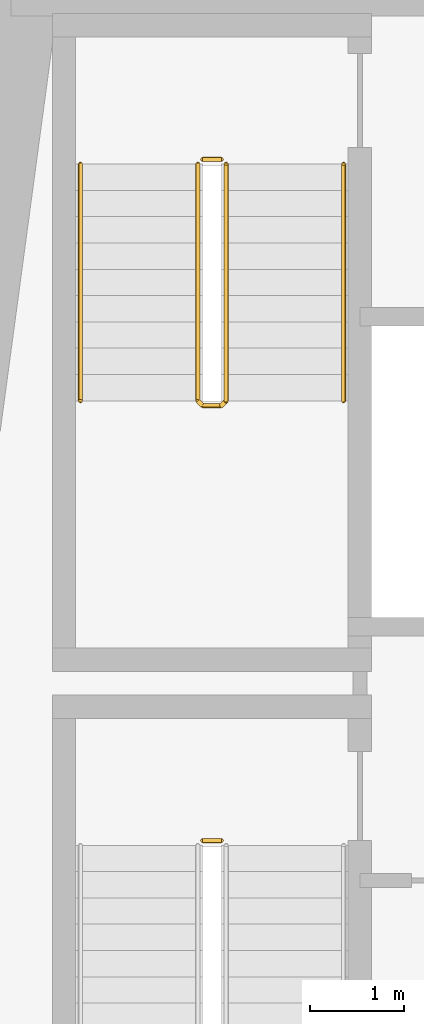
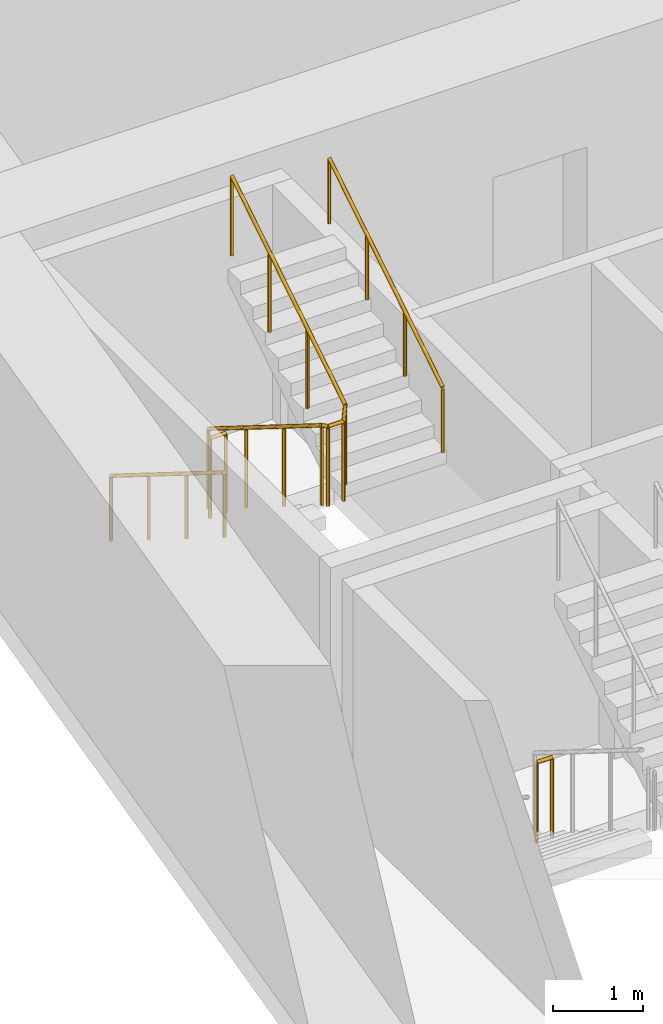
# One storey, part 10 of 13: 5 railings.
"""IFC4 building model written with IfcOpenShell, lengths in metres."""

from ifc_helpers import new_model, si_unit, direction, frame, origin, origin_2d, place, context, subcontext, project, spatial, circle, extrude, material, type_object, element, save


model = new_model("IFC4")

# Units and contexts
model_context = context("Model", 3, precision=1e-05, world=origin(), true_north=direction((0.0, 1.0)))
body_context = subcontext(model_context, "Body", "Model", "MODEL_VIEW")
ifc_project = project(units=[si_unit("LENGTHUNIT", "METRE"), si_unit("AREAUNIT", "SQUARE_METRE"), si_unit("VOLUMEUNIT", "CUBIC_METRE"), si_unit("PLANEANGLEUNIT", "RADIAN"), si_unit("MASSUNIT", "GRAM", prefix="KILO")], contexts=[model_context])

# Site, building, storey
site_placement = place(None, origin())
site = spatial("IfcSite", under=ifc_project, at=site_placement, CompositionType="ELEMENT")
building_placement = place(site_placement, origin())
building = spatial("IfcBuilding", under=site, at=building_placement, Name="Candeia Pilgrim Tower and Theatre", CompositionType="ELEMENT")
storey_placement = place(building_placement, frame((0.0, 0.0, 63.5)))
storey = spatial("IfcBuildingStorey", under=building, at=storey_placement, Name="L13", CompositionType="ELEMENT", Elevation=63.5)

# Railings
ifc_material_1 = material(Name="Stainless steel balustrade", Category="steel")
railing_type_1 = type_object("IfcRailingType", Name="RL-GUARD-1100", PredefinedType="GUARDRAIL", material=ifc_material_1)
railing_1_placement = place(storey_placement, frame((91.152099609375, 122.52490234375, 0.0)))
element("IfcRailing", 1, at=railing_1_placement, inside=storey, type_object=railing_type_1, Name="L13 ST1 stair guard 2", PredefinedType="GUARDRAIL", context=body_context, shape_type="SweptSolid", body=[
    extrude(circle(Radius=0.02392578125, at=origin_2d()), frame((0.0, 0.0, 1.076171875), z_axis=(1.0, 0.0, 0.0), x_axis=(0.0, 1.0, 0.0)), (0.0, 0.0, 1.0), 0.199951171875),
    extrude(circle(Radius=0.02099609375, at=origin_2d()), origin(), (0.0, 0.0, 1.0), 1.052001953125),
    extrude(circle(Radius=0.02099609375, at=origin_2d()), frame((0.199951171875, 0.0, 0.0)), (0.0, 0.0, 1.0), 1.052001953125),
])
railing_2_placement = place(storey_placement, frame((91.10205078125, 129.72509765625, 0.175048828125)))
element("IfcRailing", 2, at=railing_2_placement, inside=storey, type_object=railing_type_1, Name="L13 ST2 stair guard 1", PredefinedType="GUARDRAIL", context=body_context, shape_type="SweptSolid", body=[
    extrude(circle(Radius=0.02392578125, at=origin_2d()), frame((0.0, 0.0, 1.076171875), z_axis=(0.0, -0.848007534815, 0.529984170421), x_axis=(1.0, 0.0, 0.0)), (0.0, 0.0, 1.0), 2.9716796875),
    extrude(circle(Radius=0.02392578125, at=origin_2d()), frame((0.0, -2.52001953125, 2.65087890625), z_axis=(0.707106781187, -0.707106781187, 0.0), x_axis=(0.707106781187, 0.707106781187, 0.0)), (0.0, 0.0, 1.0), 0.07080078125),
    extrude(circle(Radius=0.02392578125, at=origin_2d()), frame((0.050048828125, -2.570068359375, 2.65087890625), z_axis=(1.0, 0.0, 0.0), x_axis=(0.0, 1.0, 0.0)), (0.0, 0.0, 1.0), 0.199951171875),
    extrude(circle(Radius=0.02392578125, at=origin_2d()), frame((0.25, -2.570068359375, 2.65087890625), z_axis=(0.265065253269, 0.265065253269, 0.927081885822), x_axis=(-0.707106781187, 0.707106781187, 0.0)), (0.0, 0.0, 1.0), 0.188720703125),
    extrude(circle(Radius=0.02392578125, at=origin_2d()), frame((0.300048828125, -2.52001953125, 2.826171875), z_axis=(0.0, 0.848007534815, 0.529984170421), x_axis=(-1.0, 0.0, 0.0)), (0.0, 0.0, 1.0), 2.9716796875),
    extrude(circle(Radius=0.02099609375, at=origin_2d()), origin(), (0.0, 0.0, 1.0), 1.052001953125),
    extrude(circle(Radius=0.02099609375, at=origin_2d()), frame((0.0, -0.840087890625, 0.52490234375)), (0.0, 0.0, 1.0), 1.052001953125),
    extrude(circle(Radius=0.02099609375, at=origin_2d()), frame((0.0, -1.679931640625, 1.050048828125)), (0.0, 0.0, 1.0), 1.052001953125),
    extrude(circle(Radius=0.02099609375, at=origin_2d()), frame((0.0, -2.52001953125, 1.574951171875)), (0.0, 0.0, 1.0), 1.052001953125),
    extrude(circle(Radius=0.02099609375, at=origin_2d()), frame((0.050048828125, -2.570068359375, 1.574951171875)), (0.0, 0.0, 1.0), 1.052001953125),
    extrude(circle(Radius=0.02099609375, at=origin_2d()), frame((0.25, -2.570068359375, 1.574951171875)), (0.0, 0.0, 1.0), 1.052001953125),
    extrude(circle(Radius=0.02099609375, at=origin_2d()), frame((0.300048828125, -2.52001953125, 1.75)), (0.0, 0.0, 1.0), 1.052001953125),
    extrude(circle(Radius=0.02099609375, at=origin_2d()), frame((0.300048828125, -1.679931640625, 2.27490234375)), (0.0, 0.0, 1.0), 1.052001953125),
    extrude(circle(Radius=0.02099609375, at=origin_2d()), frame((0.300048828125, -0.840087890625, 2.800048828125)), (0.0, 0.0, 1.0), 1.052001953125),
    extrude(circle(Radius=0.02099609375, at=origin_2d()), frame((0.300048828125, 0.0, 3.324951171875)), (0.0, 0.0, 1.0), 1.052001953125),
])
railing_3_placement = place(storey_placement, frame((91.152099609375, 129.77490234375, 0.0)))
element("IfcRailing", 3, at=railing_3_placement, inside=storey, type_object=railing_type_1, Name="L13 ST2 stair guard 2", PredefinedType="GUARDRAIL", context=body_context, shape_type="SweptSolid", body=[
    extrude(circle(Radius=0.02392578125, at=origin_2d()), frame((0.0, 0.0, 1.076171875), z_axis=(1.0, 0.0, 0.0), x_axis=(0.0, 1.0, 0.0)), (0.0, 0.0, 1.0), 0.199951171875),
    extrude(circle(Radius=0.02099609375, at=origin_2d()), origin(), (0.0, 0.0, 1.0), 1.052001953125),
    extrude(circle(Radius=0.02099609375, at=origin_2d()), frame((0.199951171875, 0.0, 0.0)), (0.0, 0.0, 1.0), 1.052001953125),
])
ifc_material_2 = material(Name="Stainless steel handrail", Category="steel")
railing_type_2 = type_object("IfcRailingType", Name="RL-HANDRAIL-900", PredefinedType="HANDRAIL", material=ifc_material_2)
railing_4_placement = place(storey_placement, frame((89.85205078125, 129.72509765625, 0.175048828125)))
element("IfcRailing", 4, at=railing_4_placement, inside=storey, type_object=railing_type_2, Name="L13 ST2 stair handrail 1", PredefinedType="HANDRAIL", context=body_context, shape_type="SweptSolid", body=[
    extrude(circle(Radius=0.02392578125, at=origin_2d()), frame((0.0, 0.0, 0.8759765625), z_axis=(0.0, -0.848007534815, 0.529984170421), x_axis=(1.0, 0.0, 0.0)), (0.0, 0.0, 1.0), 2.9716796875),
    extrude(circle(Radius=0.02099609375, at=origin_2d()), origin(), (0.0, 0.0, 1.0), 0.851806640625),
    extrude(circle(Radius=0.02099609375, at=origin_2d()), frame((0.0, -0.840087890625, 0.52490234375)), (0.0, 0.0, 1.0), 0.851806640625),
    extrude(circle(Radius=0.02099609375, at=origin_2d()), frame((0.0, -1.679931640625, 1.050048828125)), (0.0, 0.0, 1.0), 0.851806640625),
    extrude(circle(Radius=0.02099609375, at=origin_2d()), frame((0.0, -2.52001953125, 1.574951171875)), (0.0, 0.0, 1.0), 0.851806640625),
])
railing_5_placement = place(storey_placement, frame((92.652099609375, 127.205078125, 1.925048828125)))
element("IfcRailing", 5, at=railing_5_placement, inside=storey, type_object=railing_type_2, Name="L13 ST2 stair handrail 2", PredefinedType="HANDRAIL", context=body_context, shape_type="SweptSolid", body=[
    extrude(circle(Radius=0.02392578125, at=origin_2d()), frame((0.0, 0.0, 0.8759765625), z_axis=(0.0, 0.848007534815, 0.529984170421), x_axis=(-1.0, 0.0, 0.0)), (0.0, 0.0, 1.0), 2.9716796875),
    extrude(circle(Radius=0.02099609375, at=origin_2d()), origin(), (0.0, 0.0, 1.0), 0.851806640625),
    extrude(circle(Radius=0.02099609375, at=origin_2d()), frame((0.0, 0.840087890625, 0.52490234375)), (0.0, 0.0, 1.0), 0.851806640625),
    extrude(circle(Radius=0.02099609375, at=origin_2d()), frame((0.0, 1.679931640625, 1.050048828125)), (0.0, 0.0, 1.0), 0.851806640625),
    extrude(circle(Radius=0.02099609375, at=origin_2d()), frame((0.0, 2.52001953125, 1.574951171875)), (0.0, 0.0, 1.0), 0.851806640625),
])

save(model, "model.ifc")
